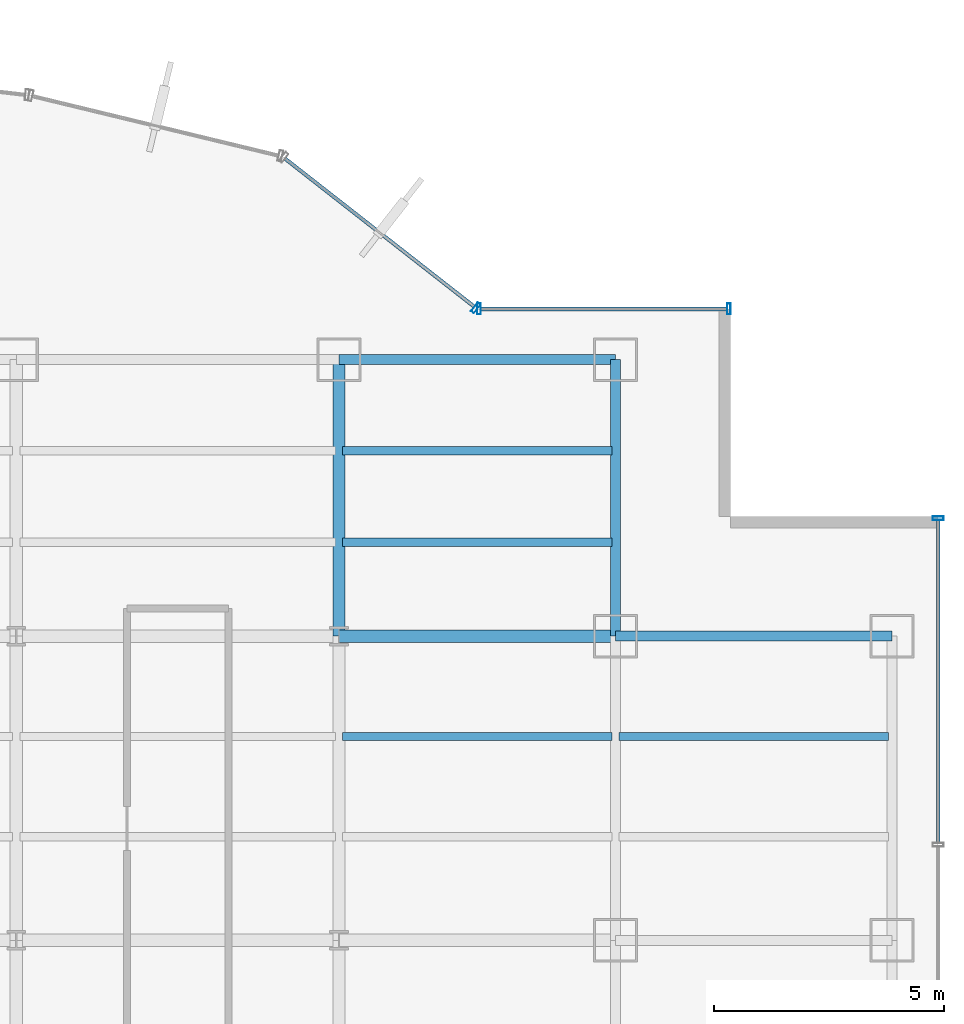
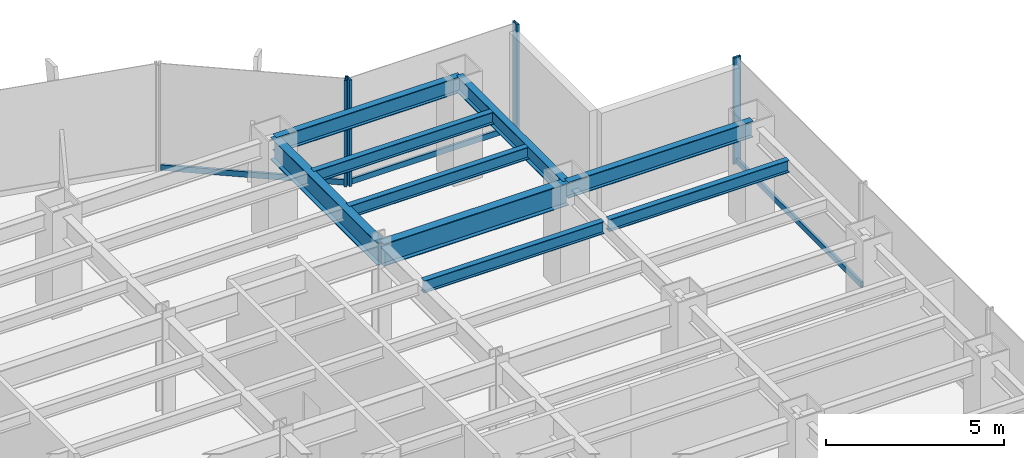
# One storey, part 15 of 22: 9 beams, 7 members, 3 elements without a shape of their own.
"""IFC4 building model written with IfcOpenShell, lengths in metres."""

from ifc_helpers import new_model, si_unit, derived_unit, direction, frame, origin, origin_2d, place, context, subcontext, project, spatial, hollow_rectangle, i_section, extrude, source, transform, mapped, material, material_profile, profile_set, type_object, element, aggregate, save


model = new_model("IFC4")

# Units and contexts
model_context = context("Model", 3, precision=1e-05, world=origin(), true_north=direction((0.0, 1.0)))
body_context = subcontext(model_context, "Body", "Model", "MODEL_VIEW")
ifc_project = project(units=[si_unit("LENGTHUNIT", "METRE"), si_unit("AREAUNIT", "SQUARE_METRE"), si_unit("VOLUMEUNIT", "CUBIC_METRE"), si_unit("PLANEANGLEUNIT", "RADIAN"), si_unit("MASSUNIT", "GRAM", prefix="KILO"), derived_unit("THERMALTRANSMITTANCEUNIT", [(si_unit("POWERUNIT", "WATT"), 1), (si_unit("LENGTHUNIT", "METRE"), -2), (si_unit("THERMODYNAMICTEMPERATUREUNIT", "KELVIN"), -1)])], contexts=[model_context])

# Site, building, storey
site_placement = place(None, origin())
site = spatial("IfcSite", under=ifc_project, at=site_placement, CompositionType="ELEMENT")
building_placement = place(site_placement, origin())
building = spatial("IfcBuilding", under=site, at=building_placement, Name="Skarnbrae Concourse Arena and Tower", CompositionType="ELEMENT")
storey_placement = place(building_placement, frame((0.0, 0.0, 69.0)))
storey = spatial("IfcBuildingStorey", under=building, at=storey_placement, Name="L16", CompositionType="ELEMENT", Elevation=69.0)

# Beams
ifc_material_1 = material(Name="Steel CSA G40.21 350W", Category="steel")
ifc_material_profile_1 = material_profile(ifc_material_1, i_section(OverallWidth=0.214111328125, OverallDepth=0.549072265625, WebThickness=0.0146484375, FlangeThickness=0.023681640625, at=origin_2d()), Name="W530X138")
ifc_profile_set_1 = profile_set([ifc_material_profile_1], Name="Steel CSA G40.21 350W")
beam_type_1 = type_object("IfcBeamType", Name="BM-SPAN-W530X138", PredefinedType="SPANDREL", material=ifc_profile_set_1)
shared_shape_1 = source(origin(), body_context, "Body", "SweptSolid", [
    extrude(i_section(OverallWidth=0.214111328125, OverallDepth=0.549072265625, WebThickness=0.0146484375, FlangeThickness=0.023681640625, at=origin_2d()), origin(), (0.0, 0.0, 1.0), 6.0),
])
for number, where, z_axis, x_axis, name in (
    (1, (55.0, 34.39990234375, 3.12548828125), (1.0, 0.0, 0.0), (0.0, 1.0, 0.0), "L16 Perimeter spandrel Y34.4-9"),
    (2, (49.0, 40.39990234375, 3.12548828125), (1.0, 0.0, 0.0), (0.0, 1.0, 0.0), "L16 Perimeter spandrel Y40.4-7"),
    (3, (55.0, 34.39990234375, 3.12548828125), (0.0, 1.0, 0.0), (-1.0, 0.0, 0.0), "L16 Perimeter spandrel X55.0-5"),
):
    element("IfcBeam", number, at=place(storey_placement, frame(where, z_axis=z_axis, x_axis=x_axis)), inside=storey, type_object=beam_type_1, Name=name, PredefinedType="SPANDREL", context=body_context, shape_type="MappedRepresentation", body=[
        mapped(shared_shape_1, transform((0.0, 0.0, 0.0))),
    ])
ifc_material_profile_2 = material_profile(ifc_material_1, i_section(OverallWidth=0.26806640625, OverallDepth=0.77001953125, WebThickness=0.015625, FlangeThickness=0.025390625, at=origin_2d()), Name="W760X196")
ifc_profile_set_2 = profile_set([ifc_material_profile_2], Name="Steel CSA G40.21 350W")
beam_type_2 = type_object("IfcBeamType", Name="BM-GIRD-W760X196", PredefinedType="BEAM", material=ifc_profile_set_2)
shared_shape_2 = source(origin(), body_context, "Body", "SweptSolid", [
    extrude(i_section(OverallWidth=0.26806640625, OverallDepth=0.77001953125, WebThickness=0.015625, FlangeThickness=0.025390625, at=origin_2d()), origin(), (0.0, 0.0, 1.0), 6.0),
])
for number, where, z_axis, x_axis, name in (
    (4, (49.0, 34.39990234375, 3.014892578125), (1.0, 0.0, 0.0), (0.0, 1.0, 0.0), "L16 Primary E-W girder Y34.4-8"),
    (5, (49.0, 34.39990234375, 3.014892578125), (0.0, 1.0, 0.0), (-1.0, 0.0, 0.0), "L16 Primary N-S girder X49.0-5"),
):
    element("IfcBeam", number, at=place(storey_placement, frame(where, z_axis=z_axis, x_axis=x_axis)), inside=storey, type_object=beam_type_2, Name=name, PredefinedType="BEAM", context=body_context, shape_type="MappedRepresentation", body=[
        mapped(shared_shape_2, transform((0.0, 0.0, 0.0))),
    ])
ifc_material_profile_3 = material_profile(ifc_material_1, i_section(OverallWidth=0.180908203125, OverallDepth=0.4169921875, WebThickness=0.010986328125, FlangeThickness=0.018310546875, at=origin_2d()), Name="W410X85")
ifc_profile_set_3 = profile_set([ifc_material_profile_3], Name="Steel CSA G40.21 350W")
beam_type_3 = type_object("IfcBeamType", Name="BM-JOIST-W410X85", PredefinedType="JOIST", material=ifc_profile_set_3)
shared_shape_3 = source(origin(), body_context, "Body", "SweptSolid", [
    extrude(i_section(OverallWidth=0.180908203125, OverallDepth=0.4169921875, WebThickness=0.010986328125, FlangeThickness=0.018310546875, at=origin_2d()), origin(), (0.0, 0.0, 1.0), 5.83984375),
])
for number, where, z_axis, x_axis, name in (
    (6, (49.080078125, 32.221923828125, 3.19140625), (1.0, 0.0, 0.0), (0.0, 1.0, 0.0), "L16 Secondary floor joist 3.2.8"),
    (7, (55.080078125, 32.221923828125, 3.19140625), (1.0, 0.0, 0.0), (0.0, 1.0, 0.0), "L16 Secondary floor joist 3.2.9"),
    (8, (49.080078125, 36.43994140625, 3.19140625), (1.0, 0.0, 0.0), (0.0, 1.0, 0.0), "L16 Secondary floor joist 4.1.7"),
    (9, (49.080078125, 38.419921875, 3.19140625), (1.0, 0.0, 0.0), (0.0, 1.0, 0.0), "L16 Secondary floor joist 4.2.7"),
):
    element("IfcBeam", number, at=place(storey_placement, frame(where, z_axis=z_axis, x_axis=x_axis)), inside=storey, type_object=beam_type_3, Name=name, PredefinedType="JOIST", context=body_context, shape_type="MappedRepresentation", body=[
        mapped(shared_shape_3, transform((0.0, 0.0, 0.0))),
    ])

# Curtain wall, member
ifc_material_2 = material(Name="Bronze anodised aluminium 6063-T6", Category="aluminium")
curtain_wall_type = type_object("IfcCurtainWallType", Name="CW-SYS-02-LOWZONE", PredefinedType="USERDEFINED", material=ifc_material_2)
curtain_wall_1_placement = place(storey_placement, origin())
curtain_wall_1 = element("IfcCurtainWall", 10, at=curtain_wall_1_placement, inside=storey, type_object=curtain_wall_type, Name="L16 Unitised curtain wall CW-L16-E04", ObjectType="UNITISED CURTAIN WALL", PredefinedType="USERDEFINED")
ifc_material_profile_4 = material_profile(ifc_material_2, hollow_rectangle(XDim=0.080078125, YDim=0.239990234375, WallThickness=0.0048828125, at=origin_2d()), Name="ALU-MULL-80X240")
ifc_profile_set_4 = profile_set([ifc_material_profile_4], Name="Bronze anodised aluminium 6063-T6")
member_type_1 = type_object("IfcMemberType", Name="CWM-CW-02", PredefinedType="MULLION", material=ifc_profile_set_4)
shared_shape_4 = source(origin(), body_context, "Body", "SweptSolid", [
    extrude(hollow_rectangle(XDim=0.080078125, YDim=0.239990234375, WallThickness=0.0048828125, at=origin_2d()), origin(), (0.0, 0.0, 1.0), 3.64990234375),
])
member_1_placement = place(storey_placement, frame((62.0, 36.9599609375, 0.0), z_axis=(0.0, 0.0, 1.0), x_axis=(0.0, 1.0, 0.0)))
member_1 = element("IfcMember", 11, at=member_1_placement, type_object=member_type_1, Name="CW-L16-E04 Mullion 5", PredefinedType="MULLION", context=body_context, shape_type="MappedRepresentation", body=[
    mapped(shared_shape_4, transform((0.0, 0.0, 0.0))),
])

# Curtain wall, members
curtain_wall_2_placement = place(storey_placement, origin())
curtain_wall_2 = element("IfcCurtainWall", 12, at=curtain_wall_2_placement, inside=storey, type_object=curtain_wall_type, Name="L16 Unitised curtain wall CW-L16-E07", ObjectType="UNITISED CURTAIN WALL", PredefinedType="USERDEFINED")
member_2_placement = place(storey_placement, frame((57.4599609375, 41.5, 0.0), z_axis=(0.0, 0.0, 1.0), x_axis=(-1.0, 0.0, 0.0)))
member_2 = element("IfcMember", 13, at=member_2_placement, type_object=member_type_1, Name="CW-L16-E07 Mullion 1", PredefinedType="MULLION", context=body_context, shape_type="MappedRepresentation", body=[
    mapped(shared_shape_4, transform((0.0, 0.0, 0.0))),
])
member_3_placement = place(storey_placement, frame((52.0400390625, 41.5, 0.0), z_axis=(0.0, 0.0, 1.0), x_axis=(-1.0, 0.0, 0.0)))
member_3 = element("IfcMember", 14, at=member_3_placement, type_object=member_type_1, Name="CW-L16-E07 Mullion 2", PredefinedType="MULLION", context=body_context, shape_type="MappedRepresentation", body=[
    mapped(shared_shape_4, transform((0.0, 0.0, 0.0))),
])

# Curtain wall, member
curtain_wall_3_placement = place(storey_placement, origin())
curtain_wall_3 = element("IfcCurtainWall", 15, at=curtain_wall_3_placement, inside=storey, type_object=curtain_wall_type, Name="L16 Unitised curtain wall CW-L16-E08", ObjectType="UNITISED CURTAIN WALL", PredefinedType="USERDEFINED")
member_4_placement = place(storey_placement, frame((51.968505859375, 41.524658203125, 0.0), z_axis=(0.0, 0.0, 1.0), x_axis=(-0.787651726054, 0.616120733658, 0.0)))
member_4 = element("IfcMember", 16, at=member_4_placement, type_object=member_type_1, Name="CW-L16-E08 Mullion 1", PredefinedType="MULLION", context=body_context, shape_type="MappedRepresentation", body=[
    mapped(shared_shape_4, transform((0.0, 0.0, 0.0))),
])

# Member
ifc_material_profile_5 = material_profile(ifc_material_2, hollow_rectangle(XDim=0.080078125, YDim=0.18994140625, WallThickness=0.0048828125, at=origin_2d()), Name="ALU-TRAN-80X190")
ifc_profile_set_5 = profile_set([ifc_material_profile_5], Name="Bronze anodised aluminium 6063-T6")
member_type_2 = type_object("IfcMemberType", Name="CWT-CW-02", PredefinedType="USERDEFINED", material=ifc_profile_set_5)
shared_shape_5 = source(origin(), body_context, "Body", "SweptSolid", [
    extrude(hollow_rectangle(XDim=0.080078125, YDim=0.18994140625, WallThickness=0.0048828125, at=origin_2d()), origin(), (0.0, 0.0, 1.0), 7.0048828125),
])
member_5_placement = place(storey_placement, frame((62.0, 29.9150390625, 0.094970703125), z_axis=(0.0, 1.0, 0.0), x_axis=(-1.0, 0.0, 0.0)))
member_5 = element("IfcMember", 17, at=member_5_placement, type_object=member_type_2, Name="CW-L16-E04 Transom 4", ObjectType="TRANSOM", PredefinedType="USERDEFINED", context=body_context, shape_type="MappedRepresentation", body=[
    mapped(shared_shape_5, transform((0.0, 0.0, 0.0))),
])

aggregate(curtain_wall_1, [member_1, member_5])

shared_shape_6 = source(origin(), body_context, "Body", "SweptSolid", [
    extrude(hollow_rectangle(XDim=0.080078125, YDim=0.18994140625, WallThickness=0.0048828125, at=origin_2d()), origin(), (0.0, 0.0, 1.0), 5.33984375),
])
member_6_placement = place(storey_placement, frame((57.419921875, 41.5, 0.094970703125), z_axis=(-1.0, 0.0, 0.0), x_axis=(0.0, -1.0, 0.0)))
member_6 = element("IfcMember", 18, at=member_6_placement, type_object=member_type_2, Name="CW-L16-E07 Transom 1", ObjectType="TRANSOM", PredefinedType="USERDEFINED", context=body_context, shape_type="MappedRepresentation", body=[
    mapped(shared_shape_6, transform((0.0, 0.0, 0.0))),
])

aggregate(curtain_wall_2, [member_2, member_3, member_6])

shared_shape_7 = source(origin(), body_context, "Body", "SweptSolid", [
    extrude(hollow_rectangle(XDim=0.080078125, YDim=0.18994140625, WallThickness=0.0048828125, at=origin_2d()), origin(), (0.0, 0.0, 1.0), 5.215087890625),
])
member_7_placement = place(storey_placement, frame((51.93701171875, 41.54931640625, 0.094970703125), z_axis=(-0.787650196702, 0.616122688784, 0.0), x_axis=(-0.616122688784, -0.787650196702, 0.0)))
member_7 = element("IfcMember", 19, at=member_7_placement, type_object=member_type_2, Name="CW-L16-E08 Transom 1", ObjectType="TRANSOM", PredefinedType="USERDEFINED", context=body_context, shape_type="MappedRepresentation", body=[
    mapped(shared_shape_7, transform((0.0, 0.0, 0.0))),
])

aggregate(curtain_wall_3, [member_4, member_7])

save(model, "model.ifc")
